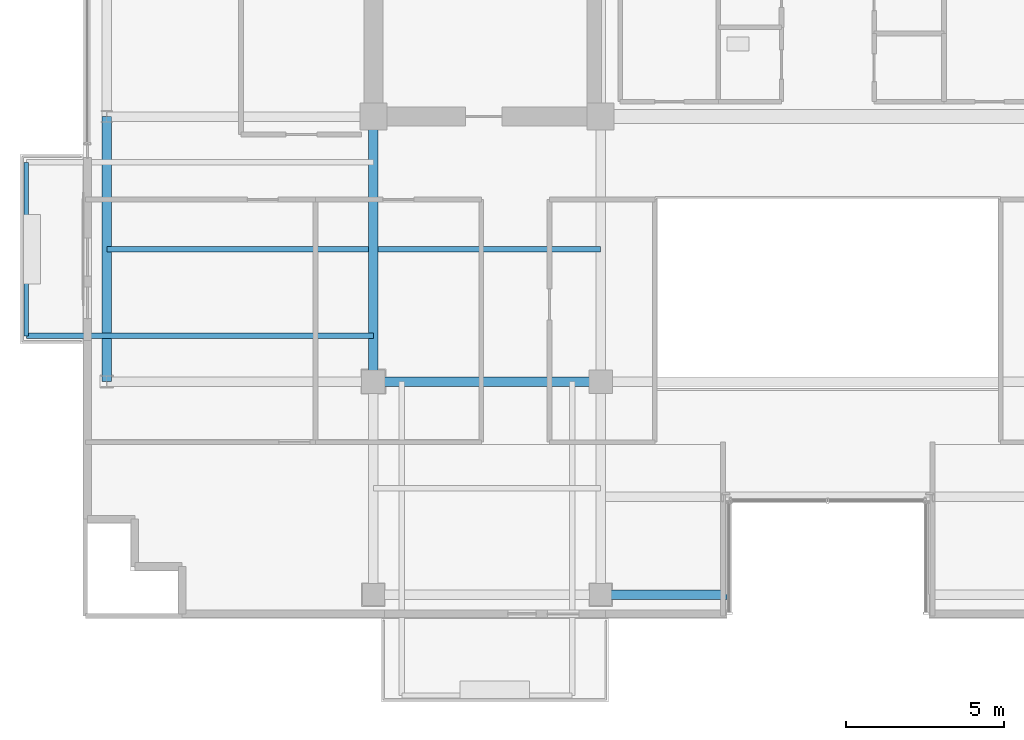
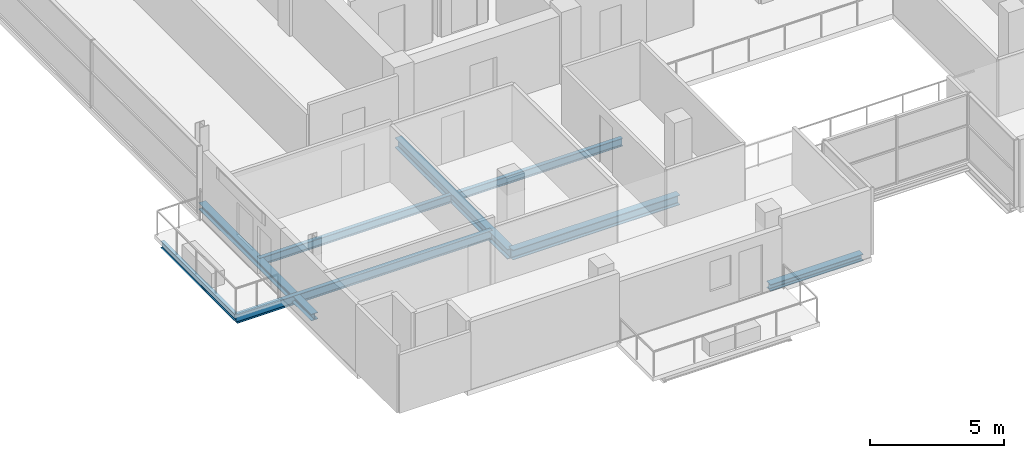
# One storey, part 2 of 24: 8 beams.
"""IFC4 building model written with IfcOpenShell, lengths in metres."""

from ifc_helpers import new_model, si_unit, direction, frame, origin, origin_2d, place, context, subcontext, project, spatial, i_section, extrude, material, material_profile, profile_set, type_object, element, save


model = new_model("IFC4")

# Units and contexts
model_context = context("Model", 3, precision=1e-05, world=origin(), true_north=direction((0.0, 1.0)))
body_context = subcontext(model_context, "Body", "Model", "MODEL_VIEW")
ifc_project = project(units=[si_unit("LENGTHUNIT", "METRE"), si_unit("AREAUNIT", "SQUARE_METRE"), si_unit("VOLUMEUNIT", "CUBIC_METRE"), si_unit("PLANEANGLEUNIT", "RADIAN"), si_unit("MASSUNIT", "GRAM", prefix="KILO")], contexts=[model_context])

# Site, building, storey
site_placement = place(None, origin())
site = spatial("IfcSite", under=ifc_project, at=site_placement, CompositionType="ELEMENT")
building_placement = place(site_placement, origin())
building = spatial("IfcBuilding", under=site, at=building_placement, Name="Zarnakvel Exchange Tower", CompositionType="ELEMENT")
storey_placement = place(building_placement, frame((0.0, 0.0, 208.89990234375)))
storey = spatial("IfcBuildingStorey", under=building, at=storey_placement, Name="L58", CompositionType="ELEMENT", Elevation=208.89990234375)

# Beams
ifc_material = material(Name="Steel S355", Category="steel")
ifc_material_profile_1 = material_profile(ifc_material, i_section(OverallWidth=0.179931640625, OverallDepth=0.39990234375, WebThickness=0.008544921875, FlangeThickness=0.013427734375, FilletRadius=0.02099609375, at=origin_2d()))
ifc_profile_set_1 = profile_set([ifc_material_profile_1], Name="Steel S355")
beam_type_1 = type_object("IfcBeamType", Name="B-06", PredefinedType="JOIST", material=ifc_profile_set_1)
beam_1_placement = place(storey_placement, frame((-14.39990234375, -8.14990234375, -0.4248046875), z_axis=(-1.0, 0.0, 0.0), x_axis=(0.0, -1.0, 0.0)))
element("IfcBeam", 1, at=beam_1_placement, inside=storey, type_object=beam_type_1, Name="L58 Continuous West Loggia Beam S", PredefinedType="JOIST", context=body_context, shape_type="SweptSolid", body=[
    extrude(i_section(OverallWidth=0.179931640625, OverallDepth=0.39990234375, WebThickness=0.008544921875, FlangeThickness=0.013427734375, FilletRadius=0.02099609375, at=origin_2d()), origin(), (0.0, 0.0, 1.0), 11.0),
])
ifc_material_profile_2 = material_profile(ifc_material, i_section(OverallWidth=0.169921875, OverallDepth=0.360107421875, WebThickness=0.008056640625, FlangeThickness=0.0126953125, FilletRadius=0.01806640625, at=origin_2d()))
ifc_profile_set_2 = profile_set([ifc_material_profile_2], Name="Steel S355")
beam_type_2 = type_object("IfcBeamType", Name="B-07", PredefinedType="JOIST", material=ifc_profile_set_2)
beam_2_placement = place(storey_placement, frame((-22.85009765625, -5.39990234375, -0.40478515625), z_axis=(1.0, 0.0, 0.0), x_axis=(0.0, 1.0, 0.0)))
element("IfcBeam", 2, at=beam_2_placement, inside=storey, type_object=beam_type_2, Name="L58 Composite Floor Secondary Joist", PredefinedType="JOIST", context=body_context, shape_type="SweptSolid", body=[
    extrude(i_section(OverallWidth=0.169921875, OverallDepth=0.360107421875, WebThickness=0.008056640625, FlangeThickness=0.0126953125, FilletRadius=0.01806640625, at=origin_2d()), origin(), (0.0, 0.0, 1.0), 8.300048828125),
])
beam_3_placement = place(storey_placement, frame((-14.25, -5.39990234375, -0.40478515625), z_axis=(1.0, 0.0, 0.0), x_axis=(0.0, 1.0, 0.0)))
element("IfcBeam", 3, at=beam_3_placement, inside=storey, type_object=beam_type_2, Name="L58 Composite Floor Secondary Joist", PredefinedType="JOIST", context=body_context, shape_type="SweptSolid", body=[
    extrude(i_section(OverallWidth=0.169921875, OverallDepth=0.360107421875, WebThickness=0.008056640625, FlangeThickness=0.0126953125, FilletRadius=0.01806640625, at=origin_2d()), origin(), (0.0, 0.0, 1.0), 7.050048828125),
])
ifc_material_profile_3 = material_profile(ifc_material, i_section(OverallWidth=0.14990234375, OverallDepth=0.300048828125, WebThickness=0.007080078125, FlangeThickness=0.0107421875, FilletRadius=0.014892578125, at=origin_2d()))
ifc_profile_set_3 = profile_set([ifc_material_profile_3], Name="Steel S355")
beam_type_3 = type_object("IfcBeamType", Name="B-08", PredefinedType="JOIST", material=ifc_profile_set_3)
beam_4_placement = place(storey_placement, frame((-25.39990234375, -8.14990234375, -0.375), z_axis=(0.0, 1.0, 0.0), x_axis=(-1.0, 0.0, 0.0)))
element("IfcBeam", 4, at=beam_4_placement, inside=storey, type_object=beam_type_3, Name="L58 West Loggia Edge Beam", PredefinedType="JOIST", context=body_context, shape_type="SweptSolid", body=[
    extrude(i_section(OverallWidth=0.14990234375, OverallDepth=0.300048828125, WebThickness=0.007080078125, FlangeThickness=0.0107421875, FilletRadius=0.014892578125, at=origin_2d()), origin(), (0.0, 0.0, 1.0), 5.5),
])
ifc_material_profile_4 = material_profile(ifc_material, i_section(OverallWidth=0.300048828125, OverallDepth=0.449951171875, WebThickness=0.013916015625, FlangeThickness=0.02587890625, FilletRadius=0.027099609375, at=origin_2d()))
ifc_profile_set_4 = profile_set([ifc_material_profile_4], Name="Steel S355")
beam_type_4 = type_object("IfcBeamType", Name="G-07", PredefinedType="BEAM", material=ifc_profile_set_4)
beam_5_placement = place(storey_placement, frame((-14.39990234375, -9.60009765625, -0.449951171875), z_axis=(1.0, 0.0, 0.0), x_axis=(0.0, 1.0, 0.0)))
element("IfcBeam", 5, at=beam_5_placement, inside=storey, type_object=beam_type_4, Name="L58 Tower E-W Frame Beam", PredefinedType="BEAM", context=body_context, shape_type="SweptSolid", body=[
    extrude(i_section(OverallWidth=0.300048828125, OverallDepth=0.449951171875, WebThickness=0.013916015625, FlangeThickness=0.02587890625, FilletRadius=0.027099609375, at=origin_2d()), origin(), (0.0, 0.0, 1.0), 7.199951171875),
])
beam_6_placement = place(storey_placement, frame((-14.39990234375, -9.60009765625, -0.449951171875), z_axis=(0.0, 1.0, 0.0), x_axis=(-1.0, 0.0, 0.0)))
element("IfcBeam", 6, at=beam_6_placement, inside=storey, type_object=beam_type_4, Name="L58 Tower N-S Frame Beam", PredefinedType="BEAM", context=body_context, shape_type="SweptSolid", body=[
    extrude(i_section(OverallWidth=0.300048828125, OverallDepth=0.449951171875, WebThickness=0.013916015625, FlangeThickness=0.02587890625, FilletRadius=0.027099609375, at=origin_2d()), origin(), (0.0, 0.0, 1.0), 8.400146484375),
])
ifc_material_profile_5 = material_profile(ifc_material, i_section(OverallWidth=0.300048828125, OverallDepth=0.300048828125, WebThickness=0.010986328125, FlangeThickness=0.01904296875, FilletRadius=0.027099609375, at=origin_2d()))
ifc_profile_set_5 = profile_set([ifc_material_profile_5], Name="Steel S355")
beam_type_5 = type_object("IfcBeamType", Name="SP-03", PredefinedType="SPANDREL", material=ifc_profile_set_5)
beam_7_placement = place(storey_placement, frame((-7.199951171875, -16.35009765625, -0.375), z_axis=(1.0, 0.0, 0.0), x_axis=(0.0, 1.0, 0.0)))
element("IfcBeam", 7, at=beam_7_placement, inside=storey, type_object=beam_type_5, Name="L58 South Slot West Jamb Spandrel", PredefinedType="SPANDREL", context=body_context, shape_type="SweptSolid", body=[
    extrude(i_section(OverallWidth=0.300048828125, OverallDepth=0.300048828125, WebThickness=0.010986328125, FlangeThickness=0.01904296875, FilletRadius=0.027099609375, at=origin_2d()), origin(), (0.0, 0.0, 1.0), 4.0),
])
beam_8_placement = place(storey_placement, frame((-22.85009765625, -9.60009765625, -0.375), z_axis=(0.0, 1.0, 0.0), x_axis=(-1.0, 0.0, 0.0)))
element("IfcBeam", 8, at=beam_8_placement, inside=storey, type_object=beam_type_5, Name="L58 Tower N-S Frame Beam", PredefinedType="SPANDREL", context=body_context, shape_type="SweptSolid", body=[
    extrude(i_section(OverallWidth=0.300048828125, OverallDepth=0.300048828125, WebThickness=0.010986328125, FlangeThickness=0.01904296875, FilletRadius=0.027099609375, at=origin_2d()), origin(), (0.0, 0.0, 1.0), 8.400146484375),
])

save(model, "model.ifc")
